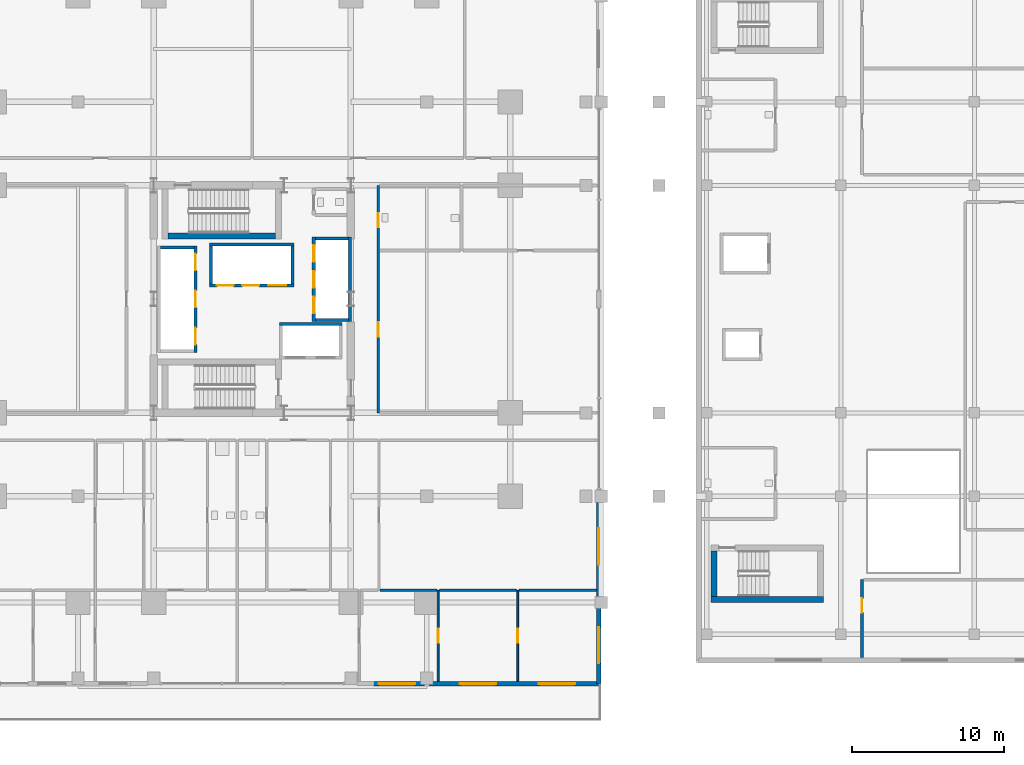
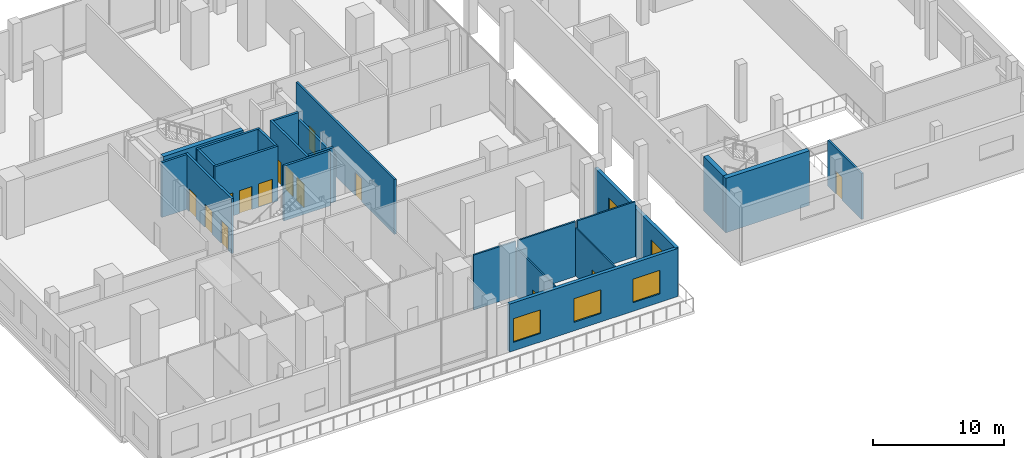
# One storey, part 22 of 32: 23 walls, 14 doors, 5 windows, 19 openings.
"""IFC4 building model written with IfcOpenShell, lengths in metres."""

from ifc_helpers import new_model, si_unit, direction, frame, frame_2d, origin, place, context, subcontext, project, spatial, rectangle, extrude, material, layer, layer_set, type_object, element, fill, save


model = new_model("IFC4")

# Units and contexts
model_context = context("Model", 3, precision=1e-05, world=origin(), true_north=direction((0.0, 1.0)))
body_context = subcontext(model_context, "Body", "Model", "MODEL_VIEW")
ifc_project = project(units=[si_unit("LENGTHUNIT", "METRE"), si_unit("AREAUNIT", "SQUARE_METRE"), si_unit("VOLUMEUNIT", "CUBIC_METRE"), si_unit("PLANEANGLEUNIT", "RADIAN"), si_unit("MASSUNIT", "GRAM", prefix="KILO")], contexts=[model_context])

# Site, building, storey
site_placement = place(None, origin())
site = spatial("IfcSite", under=ifc_project, at=site_placement, CompositionType="ELEMENT")
building_placement = place(site_placement, origin())
building = spatial("IfcBuilding", under=site, at=building_placement, Name="Barlavira Tower and Art Museum", CompositionType="ELEMENT")
storey_placement = place(building_placement, frame((0.0, 0.0, 6.0)))
storey = spatial("IfcBuildingStorey", under=building, at=storey_placement, Name="L01", CompositionType="ELEMENT", Elevation=6.0)

# Wall, opening, door
ifc_material_1 = material(Name="Gypsum acoustic stud partition", Category="gypsum")
ifc_layer_1 = layer(ifc_material_1, 0.1201171875, Name="Gypsum acoustic stud partition")
ifc_layer_set_1 = layer_set([ifc_layer_1], Name="Gypsum acoustic stud partition")
wall_type_1 = type_object("IfcWallType", Name="Apartment Internal Acoustic Partition 120", PredefinedType="PARTITIONING", material=ifc_layer_set_1)
wall_1_placement = place(storey_placement, frame((12.25, -25.195068359375, 0.0), z_axis=(0.0, 0.0, 1.0), x_axis=(0.0, 1.0, 0.0)))
wall_1 = element("IfcWall", 1, at=wall_1_placement, inside=storey, type_object=wall_type_1, Name="L01 Partition Wall 15", PredefinedType="PARTITIONING", context=body_context, shape_type="SweptSolid", body=[
    extrude(rectangle(XDim=5.9951171875, YDim=0.1201171875, at=frame_2d((2.99755859375, 0.0))), origin(), (0.0, 0.0, 1.0), 4.47607421875),
])
opening_1_placement = place(wall_1_placement, frame((2.544921875, 0.0, 0.0)))
opening_1 = element("IfcOpeningElement", 2, at=opening_1_placement, cuts=wall_1, Name="Opening D-01", PredefinedType="OPENING", context=body_context, shape_type="SweptSolid", body=[
    extrude(rectangle(XDim=0.89990234375, YDim=2.10009765625, at=frame_2d((0.449951171875, 1.050048828125))), frame((0.0, 0.070068359375, 0.0), z_axis=(0.0, -1.0, 0.0), x_axis=(1.0, 0.0, 0.0)), (0.0, 0.0, 1.0), 0.14013671875),
])
ifc_material_2 = material(Name="Engineered coastal hardwood", Category="wood")
door_type_1 = type_object("IfcDoorType", Name="Internal Bedroom Timber Flush Door 900x2100", OperationType="NOTDEFINED", PredefinedType="DOOR", material=ifc_material_2)
door_1_placement = place(opening_1_placement, origin())
door_1 = element("IfcDoor", 3, at=door_1_placement, inside=storey, type_object=door_type_1, Name="Apartment P1-SE Bedroom 2 Door", OperationType="SINGLE_SWING_LEFT", OverallHeight=2.10009765625, OverallWidth=0.89990234375, PredefinedType="DOOR", context=body_context, shape_type="SweptSolid", body=[
    extrude(rectangle(XDim=0.89990234375, YDim=2.10009765625, at=frame_2d((0.449951171875, 1.050048828125))), frame((0.0, 0.02490234375, 0.0), z_axis=(0.0, -1.0, 0.0), x_axis=(1.0, 0.0, 0.0)), (0.0, 0.0, 1.0), 0.050048828125),
])
fill(opening_1, door_1)

wall_2_placement = place(storey_placement, frame((17.5, -25.195068359375, 0.0), z_axis=(0.0, 0.0, 1.0), x_axis=(0.0, 1.0, 0.0)))
wall_2 = element("IfcWall", 4, at=wall_2_placement, inside=storey, type_object=wall_type_1, Name="L01 Partition Wall 18", PredefinedType="PARTITIONING", context=body_context, shape_type="SweptSolid", body=[
    extrude(rectangle(XDim=5.9951171875, YDim=0.1201171875, at=frame_2d((2.99755859375, 0.0))), origin(), (0.0, 0.0, 1.0), 4.47607421875),
])
opening_2_placement = place(wall_2_placement, frame((2.544921875, 0.0, 0.0)))
opening_2 = element("IfcOpeningElement", 5, at=opening_2_placement, cuts=wall_2, Name="Opening D-01", PredefinedType="OPENING", context=body_context, shape_type="SweptSolid", body=[
    extrude(rectangle(XDim=0.89990234375, YDim=2.10009765625, at=frame_2d((0.449951171875, 1.050048828125))), frame((0.0, 0.070068359375, 0.0), z_axis=(0.0, -1.0, 0.0), x_axis=(1.0, 0.0, 0.0)), (0.0, 0.0, 1.0), 0.14013671875),
])
door_2_placement = place(opening_2_placement, origin())
door_2 = element("IfcDoor", 6, at=door_2_placement, inside=storey, type_object=door_type_1, Name="Apartment P1-SE Bedroom 3 Door", OperationType="SINGLE_SWING_RIGHT", OverallHeight=2.10009765625, OverallWidth=0.89990234375, PredefinedType="DOOR", context=body_context, shape_type="SweptSolid", body=[
    extrude(rectangle(XDim=0.89990234375, YDim=2.10009765625, at=frame_2d((0.449951171875, 1.050048828125))), frame((0.0, 0.02490234375, 0.0), z_axis=(0.0, -1.0, 0.0), x_axis=(1.0, 0.0, 0.0)), (0.0, 0.0, 1.0), 0.050048828125),
])
fill(opening_2, door_2)

# Wall, openings, doors
ifc_material_3 = material(Name="Autoclaved aerated concrete masonry", Category="masonry")
ifc_layer_2 = layer(ifc_material_3, 0.199951171875, Name="Autoclaved aerated concrete masonry")
ifc_layer_set_2 = layer_set([ifc_layer_2], Name="Autoclaved aerated concrete masonry")
wall_type_2 = type_object("IfcWallType", Name="Fire Compartment and Shaft Wall 200", PredefinedType="SOLIDWALL", material=ifc_layer_set_2)
wall_3_placement = place(storey_placement, frame((-3.75, -3.510009765625, 0.0), z_axis=(0.0, 0.0, 1.0), x_axis=(0.0, 1.0, 0.0)))
wall_3 = element("IfcWall", 7, at=wall_3_placement, inside=storey, type_object=wall_type_2, Name="L01 Low-Rise Lift Front Shaft Wall", PredefinedType="SOLIDWALL", context=body_context, shape_type="SweptSolid", body=[
    extrude(rectangle(XDim=7.02001953125, YDim=0.199951171875, at=frame_2d((3.510009765625, 0.0))), origin(), (0.0, 0.0, 1.0), 5.1201171875),
])
opening_3_placement = place(wall_3_placement, frame((0.510009765625, 0.0, 0.0)))
opening_3 = element("IfcOpeningElement", 8, at=opening_3_placement, cuts=wall_3, Name="Opening LD-P", PredefinedType="OPENING", context=body_context, shape_type="SweptSolid", body=[
    extrude(rectangle(XDim=1.10009765625, YDim=2.14990234375, at=frame_2d((0.550048828125, 1.074951171875))), frame((0.0, 0.10986328125, 0.0), z_axis=(0.0, -1.0, 0.0), x_axis=(1.0, 0.0, 0.0)), (0.0, 0.0, 1.0), 0.219970703125),
])
opening_4_placement = place(wall_3_placement, frame((2.9599609375, 0.0, 0.0)))
opening_4 = element("IfcOpeningElement", 9, at=opening_4_placement, cuts=wall_3, Name="Opening LD-P", PredefinedType="OPENING", context=body_context, shape_type="SweptSolid", body=[
    extrude(rectangle(XDim=1.10009765625, YDim=2.14990234375, at=frame_2d((0.550048828125, 1.074951171875))), frame((0.0, 0.10986328125, 0.0), z_axis=(0.0, -1.0, 0.0), x_axis=(1.0, 0.0, 0.0)), (0.0, 0.0, 1.0), 0.219970703125),
])
opening_5_placement = place(wall_3_placement, frame((5.409912109375, 0.0, 0.0)))
opening_5 = element("IfcOpeningElement", 10, at=opening_5_placement, cuts=wall_3, Name="Opening LD-P", PredefinedType="OPENING", context=body_context, shape_type="SweptSolid", body=[
    extrude(rectangle(XDim=1.10009765625, YDim=2.14990234375, at=frame_2d((0.550048828125, 1.074951171875))), frame((0.0, 0.10986328125, 0.0), z_axis=(0.0, -1.0, 0.0), x_axis=(1.0, 0.0, 0.0)), (0.0, 0.0, 1.0), 0.219970703125),
])
ifc_material_4 = material(Name="Brushed stainless steel", Category="steel")
door_type_2 = type_object("IfcDoorType", Name="Passenger Lift Sliding Landing Door 1100x2150 FD60", OperationType="NOTDEFINED", PredefinedType="DOOR", material=ifc_material_4)
door_3_placement = place(opening_3_placement, origin())
door_3 = element("IfcDoor", 11, at=door_3_placement, inside=storey, type_object=door_type_2, Name="L01 Lift PL1 Sliding Landing Door", OperationType="DOUBLE_DOOR_SLIDING", OverallHeight=2.14990234375, OverallWidth=1.10009765625, PredefinedType="DOOR", context=body_context, shape_type="SweptSolid", body=[
    extrude(rectangle(XDim=1.10009765625, YDim=2.14990234375, at=frame_2d((0.550048828125, 1.074951171875))), frame((0.0, 0.02490234375, 0.0), z_axis=(0.0, -1.0, 0.0), x_axis=(1.0, 0.0, 0.0)), (0.0, 0.0, 1.0), 0.050048828125),
])
fill(opening_3, door_3)
door_4_placement = place(opening_4_placement, origin())
door_4 = element("IfcDoor", 12, at=door_4_placement, inside=storey, type_object=door_type_2, Name="L01 Lift PL2 Sliding Landing Door", OperationType="DOUBLE_DOOR_SLIDING", OverallHeight=2.14990234375, OverallWidth=1.10009765625, PredefinedType="DOOR", context=body_context, shape_type="SweptSolid", body=[
    extrude(rectangle(XDim=1.10009765625, YDim=2.14990234375, at=frame_2d((0.550048828125, 1.074951171875))), frame((0.0, 0.02490234375, 0.0), z_axis=(0.0, -1.0, 0.0), x_axis=(1.0, 0.0, 0.0)), (0.0, 0.0, 1.0), 0.050048828125),
])
fill(opening_4, door_4)
door_5_placement = place(opening_5_placement, origin())
door_5 = element("IfcDoor", 13, at=door_5_placement, inside=storey, type_object=door_type_2, Name="L01 Lift PL3 Sliding Landing Door", OperationType="DOUBLE_DOOR_SLIDING", OverallHeight=2.14990234375, OverallWidth=1.10009765625, PredefinedType="DOOR", context=body_context, shape_type="SweptSolid", body=[
    extrude(rectangle(XDim=1.10009765625, YDim=2.14990234375, at=frame_2d((0.550048828125, 1.074951171875))), frame((0.0, 0.02490234375, 0.0), z_axis=(0.0, -1.0, 0.0), x_axis=(1.0, 0.0, 0.0)), (0.0, 0.0, 1.0), 0.050048828125),
])
fill(opening_5, door_5)

# Wall
wall_4_placement = place(storey_placement, frame((-6.050048828125, 3.409912109375, 0.0), z_axis=(0.0, 0.0, 1.0), x_axis=(1.0, 0.0, 0.0)))
element("IfcWall", 14, at=wall_4_placement, inside=storey, type_object=wall_type_2, Name="L01 Low-Rise Lift North Shaft Wall", PredefinedType="SOLIDWALL", context=body_context, shape_type="SweptSolid", body=[
    extrude(rectangle(XDim=2.199951171875, YDim=0.199951171875, at=frame_2d((1.10009765625, 0.0))), origin(), (0.0, 0.0, 1.0), 5.1201171875),
])

# Wall, openings, doors
wall_5_placement = place(storey_placement, frame((4.050048828125, -1.489990234375, 0.0), z_axis=(0.0, 0.0, 1.0), x_axis=(0.0, 1.0, 0.0)))
wall_5 = element("IfcWall", 15, at=wall_5_placement, inside=storey, type_object=wall_type_2, Name="L01 Mid-Rise Lift Front Shaft Wall", PredefinedType="SOLIDWALL", context=body_context, shape_type="SweptSolid", body=[
    extrude(rectangle(XDim=5.580078125, YDim=0.199951171875, at=frame_2d((2.7900390625, 0.0))), origin(), (0.0, 0.0, 1.0), 5.1201171875),
])
opening_6_placement = place(wall_5_placement, frame((0.5400390625, 0.0, 0.0)))
opening_6 = element("IfcOpeningElement", 16, at=opening_6_placement, cuts=wall_5, Name="Opening LD-P", PredefinedType="OPENING", context=body_context, shape_type="SweptSolid", body=[
    extrude(rectangle(XDim=1.10009765625, YDim=2.14990234375, at=frame_2d((0.550048828125, 1.074951171875))), frame((0.0, 0.10986328125, 0.0), z_axis=(0.0, -1.0, 0.0), x_axis=(1.0, 0.0, 0.0)), (0.0, 0.0, 1.0), 0.219970703125),
])
opening_7_placement = place(wall_5_placement, frame((2.239990234375, 0.0, 0.0)))
opening_7 = element("IfcOpeningElement", 17, at=opening_7_placement, cuts=wall_5, Name="Opening LD-P", PredefinedType="OPENING", context=body_context, shape_type="SweptSolid", body=[
    extrude(rectangle(XDim=1.10009765625, YDim=2.14990234375, at=frame_2d((0.550048828125, 1.074951171875))), frame((0.0, 0.10986328125, 0.0), z_axis=(0.0, -1.0, 0.0), x_axis=(1.0, 0.0, 0.0)), (0.0, 0.0, 1.0), 0.219970703125),
])
opening_8_placement = place(wall_5_placement, frame((3.93994140625, 0.0, 0.0)))
opening_8 = element("IfcOpeningElement", 18, at=opening_8_placement, cuts=wall_5, Name="Opening LD-P", PredefinedType="OPENING", context=body_context, shape_type="SweptSolid", body=[
    extrude(rectangle(XDim=1.10009765625, YDim=2.14990234375, at=frame_2d((0.550048828125, 1.074951171875))), frame((0.0, 0.10986328125, 0.0), z_axis=(0.0, -1.0, 0.0), x_axis=(1.0, 0.0, 0.0)), (0.0, 0.0, 1.0), 0.219970703125),
])
door_6_placement = place(opening_6_placement, origin())
door_6 = element("IfcDoor", 19, at=door_6_placement, inside=storey, type_object=door_type_2, Name="L01 Lift PM1 Sliding Landing Door", OperationType="DOUBLE_DOOR_SLIDING", OverallHeight=2.14990234375, OverallWidth=1.10009765625, PredefinedType="DOOR", context=body_context, shape_type="SweptSolid", body=[
    extrude(rectangle(XDim=1.10009765625, YDim=2.14990234375, at=frame_2d((0.550048828125, 1.074951171875))), frame((0.0, 0.02490234375, 0.0), z_axis=(0.0, -1.0, 0.0), x_axis=(1.0, 0.0, 0.0)), (0.0, 0.0, 1.0), 0.050048828125),
])
fill(opening_6, door_6)
door_7_placement = place(opening_7_placement, origin())
door_7 = element("IfcDoor", 20, at=door_7_placement, inside=storey, type_object=door_type_2, Name="L01 Lift PM2 Sliding Landing Door", OperationType="DOUBLE_DOOR_SLIDING", OverallHeight=2.14990234375, OverallWidth=1.10009765625, PredefinedType="DOOR", context=body_context, shape_type="SweptSolid", body=[
    extrude(rectangle(XDim=1.10009765625, YDim=2.14990234375, at=frame_2d((0.550048828125, 1.074951171875))), frame((0.0, 0.02490234375, 0.0), z_axis=(0.0, -1.0, 0.0), x_axis=(1.0, 0.0, 0.0)), (0.0, 0.0, 1.0), 0.050048828125),
])
fill(opening_7, door_7)
door_8_placement = place(opening_8_placement, origin())
door_8 = element("IfcDoor", 21, at=door_8_placement, inside=storey, type_object=door_type_2, Name="L01 Lift PM3 Sliding Landing Door", OperationType="DOUBLE_DOOR_SLIDING", OverallHeight=2.14990234375, OverallWidth=1.10009765625, PredefinedType="DOOR", context=body_context, shape_type="SweptSolid", body=[
    extrude(rectangle(XDim=1.10009765625, YDim=2.14990234375, at=frame_2d((0.550048828125, 1.074951171875))), frame((0.0, 0.02490234375, 0.0), z_axis=(0.0, -1.0, 0.0), x_axis=(1.0, 0.0, 0.0)), (0.0, 0.0, 1.0), 0.050048828125),
])
fill(opening_8, door_8)

# Walls
wall_6_placement = place(storey_placement, frame((6.449951171875, -1.489990234375, 0.0), z_axis=(0.0, 0.0, 1.0), x_axis=(0.0, 1.0, 0.0)))
element("IfcWall", 22, at=wall_6_placement, inside=storey, type_object=wall_type_2, Name="L01 Mid-Rise Lift Back Shaft Wall", PredefinedType="SOLIDWALL", context=body_context, shape_type="SweptSolid", body=[
    extrude(rectangle(XDim=5.580078125, YDim=0.199951171875, at=frame_2d((2.7900390625, 0.0))), origin(), (0.0, 0.0, 1.0), 4.409912109375),
])
for number, where, z_axis, x_axis, name in (
    (23, (4.14990234375, -1.389892578125, 0.0), (0.0, 0.0, 1.0), (1.0, 0.0, 0.0), "L01 Mid-Rise Lift South Shaft Wall"),
    (24, (4.14990234375, 3.989990234375, 0.0), (0.0, 0.0, 1.0), (1.0, 0.0, 0.0), "L01 Mid-Rise Lift North Shaft Wall"),
):
    element("IfcWall", number, at=place(storey_placement, frame(where, z_axis=z_axis, x_axis=x_axis)), inside=storey, type_object=wall_type_2, Name=name, PredefinedType="SOLIDWALL", context=body_context, shape_type="SweptSolid", body=[
        extrude(rectangle(XDim=2.2001953125, YDim=0.199951171875, at=frame_2d((1.10009765625, 0.0))), origin(), (0.0, 0.0, 1.0), 5.1201171875),
    ])

# Wall, openings, doors
wall_7_placement = place(storey_placement, frame((-2.820068359375, 0.89990234375, 0.0), z_axis=(0.0, 0.0, 1.0), x_axis=(1.0, 0.0, 0.0)))
wall_7 = element("IfcWall", 25, at=wall_7_placement, inside=storey, type_object=wall_type_2, Name="L01 High-Rise & Service Lift Front Wall", PredefinedType="SOLIDWALL", context=body_context, shape_type="SweptSolid", body=[
    extrude(rectangle(XDim=5.580078125, YDim=0.199951171875, at=frame_2d((2.7900390625, 0.0))), origin(), (0.0, 0.0, 1.0), 5.1201171875),
])
opening_9_placement = place(wall_7_placement, frame((0.489990234375, 0.0, 0.0)))
opening_9 = element("IfcOpeningElement", 26, at=opening_9_placement, cuts=wall_7, Name="Opening LD-P", PredefinedType="OPENING", context=body_context, shape_type="SweptSolid", body=[
    extrude(rectangle(XDim=1.10009765625, YDim=2.14990234375, at=frame_2d((0.550048828125, 1.074951171875))), frame((0.0, 0.10986328125, 0.0), z_axis=(0.0, -1.0, 0.0), x_axis=(1.0, 0.0, 0.0)), (0.0, 0.0, 1.0), 0.219970703125),
])
opening_10_placement = place(wall_7_placement, frame((2.169921875, 0.0, 0.0)))
opening_10 = element("IfcOpeningElement", 27, at=opening_10_placement, cuts=wall_7, Name="Opening LD-P", PredefinedType="OPENING", context=body_context, shape_type="SweptSolid", body=[
    extrude(rectangle(XDim=1.10009765625, YDim=2.14990234375, at=frame_2d((0.550048828125, 1.074951171875))), frame((0.0, 0.10986328125, 0.0), z_axis=(0.0, -1.0, 0.0), x_axis=(1.0, 0.0, 0.0)), (0.0, 0.0, 1.0), 0.219970703125),
])
opening_11_placement = place(wall_7_placement, frame((3.860107421875, 0.0, 0.0)))
opening_11 = element("IfcOpeningElement", 28, at=opening_11_placement, cuts=wall_7, Name="Opening LD-F", PredefinedType="OPENING", context=body_context, shape_type="SweptSolid", body=[
    extrude(rectangle(XDim=1.199951171875, YDim=2.199951171875, at=frame_2d((0.60009765625, 1.10009765625))), frame((0.0, 0.10986328125, 0.0), z_axis=(0.0, -1.0, 0.0), x_axis=(1.0, 0.0, 0.0)), (0.0, 0.0, 1.0), 0.219970703125),
])
door_type_3 = type_object("IfcDoorType", Name="Firefighting and Service Lift Sliding Door 1200x2200 FD120", OperationType="NOTDEFINED", PredefinedType="DOOR", material=ifc_material_4)
door_9_placement = place(opening_11_placement, origin())
door_9 = element("IfcDoor", 29, at=door_9_placement, inside=storey, type_object=door_type_3, Name="L01 Stretcher Service Lift SL1 Sliding Door", OperationType="DOUBLE_DOOR_SLIDING", OverallHeight=2.199951171875, OverallWidth=1.199951171875, PredefinedType="DOOR", context=body_context, shape_type="SweptSolid", body=[
    extrude(rectangle(XDim=1.199951171875, YDim=2.199951171875, at=frame_2d((0.60009765625, 1.10009765625))), frame((0.0, 0.02490234375, 0.0), z_axis=(0.0, -1.0, 0.0), x_axis=(1.0, 0.0, 0.0)), (0.0, 0.0, 1.0), 0.050048828125),
])
fill(opening_11, door_9)
door_10_placement = place(opening_9_placement, origin())
door_10 = element("IfcDoor", 30, at=door_10_placement, inside=storey, type_object=door_type_2, Name="L01 Lift PH1 Sliding Landing Door", OperationType="DOUBLE_DOOR_SLIDING", OverallHeight=2.14990234375, OverallWidth=1.10009765625, PredefinedType="DOOR", context=body_context, shape_type="SweptSolid", body=[
    extrude(rectangle(XDim=1.10009765625, YDim=2.14990234375, at=frame_2d((0.550048828125, 1.074951171875))), frame((0.0, 0.02490234375, 0.0), z_axis=(0.0, -1.0, 0.0), x_axis=(1.0, 0.0, 0.0)), (0.0, 0.0, 1.0), 0.050048828125),
])
fill(opening_9, door_10)
door_11_placement = place(opening_10_placement, origin())
door_11 = element("IfcDoor", 31, at=door_11_placement, inside=storey, type_object=door_type_2, Name="L01 Lift PH2 Sliding Landing Door", OperationType="DOUBLE_DOOR_SLIDING", OverallHeight=2.14990234375, OverallWidth=1.10009765625, PredefinedType="DOOR", context=body_context, shape_type="SweptSolid", body=[
    extrude(rectangle(XDim=1.10009765625, YDim=2.14990234375, at=frame_2d((0.550048828125, 1.074951171875))), frame((0.0, 0.02490234375, 0.0), z_axis=(0.0, -1.0, 0.0), x_axis=(1.0, 0.0, 0.0)), (0.0, 0.0, 1.0), 0.050048828125),
])
fill(opening_10, door_11)

# Walls
wall_8_placement = place(storey_placement, frame((-2.820068359375, 3.60009765625, 0.0), z_axis=(0.0, 0.0, 1.0), x_axis=(1.0, 0.0, 0.0)))
element("IfcWall", 32, at=wall_8_placement, inside=storey, type_object=wall_type_2, Name="L01 High-Rise & Service Lift Back Wall", PredefinedType="SOLIDWALL", context=body_context, shape_type="SweptSolid", body=[
    extrude(rectangle(XDim=5.580078125, YDim=0.199951171875, at=frame_2d((2.7900390625, 0.0))), origin(), (0.0, 0.0, 1.0), 5.1201171875),
])
for number, where, z_axis, x_axis, name in (
    (33, (-2.719970703125, 1.0, 0.0), (0.0, 0.0, 1.0), (0.0, 1.0, 0.0), "L01 High-Rise & Service Lift West Wall"),
    (34, (2.659912109375, 1.0, 0.0), (0.0, 0.0, 1.0), (0.0, 1.0, 0.0), "L01 High-Rise & Service Lift East Wall"),
):
    element("IfcWall", number, at=place(storey_placement, frame(where, z_axis=z_axis, x_axis=x_axis)), inside=storey, type_object=wall_type_2, Name=name, PredefinedType="SOLIDWALL", context=body_context, shape_type="SweptSolid", body=[
        extrude(rectangle(XDim=2.5, YDim=0.199951171875, at=frame_2d((1.25, 0.0))), origin(), (0.0, 0.0, 1.0), 5.1201171875),
    ])
wall_9_placement = place(storey_placement, frame((1.800048828125, -1.64990234375, 0.0), z_axis=(0.0, 0.0, 1.0), x_axis=(1.0, 0.0, 0.0)))
element("IfcWall", 35, at=wall_9_placement, inside=storey, type_object=wall_type_2, Name="L01 Firefighting Lift Back Shaft Wall", PredefinedType="SOLIDWALL", context=body_context, shape_type="SweptSolid", body=[
    extrude(rectangle(XDim=4.099853515625, YDim=0.199951171875, at=frame_2d((2.0498046875, 0.0))), origin(), (0.0, 0.0, 1.0), 5.1201171875),
])

# Wall, openings, doors
ifc_layer_3 = layer(ifc_material_1, 0.179931640625, Name="Gypsum acoustic stud partition")
ifc_layer_set_3 = layer_set([ifc_layer_3], Name="Gypsum acoustic stud partition")
wall_type_3 = type_object("IfcWallType", Name="Inter-Tenancy Party Partition Wall 180", PredefinedType="PARTITIONING", material=ifc_layer_set_3)
wall_10_placement = place(storey_placement, frame((8.300048828125, -7.5, 0.0), z_axis=(0.0, 0.0, 1.0), x_axis=(0.0, 1.0, 0.0)))
wall_10 = element("IfcWall", 36, at=wall_10_placement, inside=storey, type_object=wall_type_3, Name="L01 Partition Wall 13", PredefinedType="PARTITIONING", context=body_context, shape_type="SweptSolid", body=[
    extrude(rectangle(XDim=15.0, YDim=0.179931640625, at=frame_2d((7.5, 0.0))), origin(), (0.0, 0.0, 1.0), 5.1201171875),
])
opening_12_placement = place(wall_10_placement, frame((5.02490234375, 0.0, 0.0)))
opening_12 = element("IfcOpeningElement", 37, at=opening_12_placement, cuts=wall_10, Name="Opening FD-60", PredefinedType="OPENING", context=body_context, shape_type="SweptSolid", body=[
    extrude(rectangle(XDim=0.949951171875, YDim=2.14990234375, at=frame_2d((0.47509765625, 1.074951171875))), frame((0.0, 0.10009765625, 0.0), z_axis=(0.0, -1.0, 0.0), x_axis=(1.0, 0.0, 0.0)), (0.0, 0.0, 1.0), 0.199951171875),
])
opening_13_placement = place(wall_10_placement, frame((12.22509765625, 0.0, 0.0)))
opening_13 = element("IfcOpeningElement", 38, at=opening_13_placement, cuts=wall_10, Name="Opening FD-60", PredefinedType="OPENING", context=body_context, shape_type="SweptSolid", body=[
    extrude(rectangle(XDim=0.949951171875, YDim=2.14990234375, at=frame_2d((0.47509765625, 1.074951171875))), frame((0.0, 0.10009765625, 0.0), z_axis=(0.0, -1.0, 0.0), x_axis=(1.0, 0.0, 0.0)), (0.0, 0.0, 1.0), 0.199951171875),
])
door_type_4 = type_object("IfcDoorType", Name="Apartment Entrance and Riser Fire Door 950x2150 FD60S", OperationType="NOTDEFINED", PredefinedType="DOOR", material=ifc_material_4)
door_12_placement = place(opening_12_placement, origin())
door_12 = element("IfcDoor", 39, at=door_12_placement, inside=storey, type_object=door_type_4, Name="L01 East Arcade Overlook Salon Door", OperationType="SINGLE_SWING_LEFT", OverallHeight=2.14990234375, OverallWidth=0.949951171875, PredefinedType="DOOR", context=body_context, shape_type="SweptSolid", body=[
    extrude(rectangle(XDim=0.949951171875, YDim=2.14990234375, at=frame_2d((0.47509765625, 1.074951171875))), frame((0.0, 0.02490234375, 0.0), z_axis=(0.0, -1.0, 0.0), x_axis=(1.0, 0.0, 0.0)), (0.0, 0.0, 1.0), 0.050048828125),
])
fill(opening_12, door_12)
door_13_placement = place(opening_13_placement, origin())
door_13 = element("IfcDoor", 40, at=door_13_placement, inside=storey, type_object=door_type_4, Name="L01 Podium Accessible Restroom Door", OperationType="SINGLE_SWING_RIGHT", OverallHeight=2.14990234375, OverallWidth=0.949951171875, PredefinedType="DOOR", context=body_context, shape_type="SweptSolid", body=[
    extrude(rectangle(XDim=0.949951171875, YDim=2.14990234375, at=frame_2d((0.47509765625, 1.074951171875))), frame((0.0, 0.02490234375, 0.0), z_axis=(0.0, -1.0, 0.0), x_axis=(1.0, 0.0, 0.0)), (0.0, 0.0, 1.0), 0.050048828125),
])
fill(opening_13, door_13)

# Wall, opening, door
wall_11_placement = place(storey_placement, frame((40.199951171875, -23.64501953125, 0.0), z_axis=(0.0, 0.0, 1.0), x_axis=(0.0, 1.0, 0.0)))
wall_11 = element("IfcWall", 41, at=wall_11_placement, inside=storey, type_object=wall_type_3, Name="L01 Partition Wall 21", PredefinedType="PARTITIONING", context=body_context, shape_type="SweptSolid", body=[
    extrude(rectangle(XDim=5.14501953125, YDim=0.179931640625, at=frame_2d((2.572509765625, 0.0))), origin(), (0.0, 0.0, 1.0), 4.297119140625),
])
opening_14_placement = place(wall_11_placement, frame((2.969970703125, 0.0, 0.0)))
opening_14 = element("IfcOpeningElement", 42, at=opening_14_placement, cuts=wall_11, Name="Opening FD-60", PredefinedType="OPENING", context=body_context, shape_type="SweptSolid", body=[
    extrude(rectangle(XDim=0.949951171875, YDim=2.14990234375, at=frame_2d((0.47509765625, 1.074951171875))), frame((0.0, 0.10009765625, 0.0), z_axis=(0.0, -1.0, 0.0), x_axis=(1.0, 0.0, 0.0)), (0.0, 0.0, 1.0), 0.199951171875),
])
door_14_placement = place(opening_14_placement, origin())
door_14 = element("IfcDoor", 43, at=door_14_placement, inside=storey, type_object=door_type_4, Name="L01 Patron Reception Salon Door", OperationType="SINGLE_SWING_LEFT", OverallHeight=2.14990234375, OverallWidth=0.949951171875, PredefinedType="DOOR", context=body_context, shape_type="SweptSolid", body=[
    extrude(rectangle(XDim=0.949951171875, YDim=2.14990234375, at=frame_2d((0.47509765625, 1.074951171875))), frame((0.0, 0.02490234375, 0.0), z_axis=(0.0, -1.0, 0.0), x_axis=(1.0, 0.0, 0.0)), (0.0, 0.0, 1.0), 0.050048828125),
])
fill(opening_14, door_14)

# Walls
ifc_layer_4 = layer(ifc_material_1, 0.139892578125, Name="Gypsum acoustic stud partition")
ifc_layer_set_4 = layer_set([ifc_layer_4], Name="Gypsum acoustic stud partition")
wall_type_4 = type_object("IfcWallType", Name="Moisture-Resistant Bathroom Partition 140", PredefinedType="PARTITIONING", material=ifc_layer_set_4)
wall_12_placement = place(storey_placement, frame((8.429931640625, -19.199951171875, 0.0), z_axis=(0.0, 0.0, 1.0), x_axis=(1.0, 0.0, 0.0)))
element("IfcWall", 44, at=wall_12_placement, inside=storey, type_object=wall_type_4, Name="L01 Partition Wall 34", PredefinedType="PARTITIONING", context=body_context, shape_type="SweptSolid", body=[
    extrude(rectangle(XDim=3.739990234375, YDim=0.139892578125, at=frame_2d((1.8701171875, 0.0))), origin(), (0.0, 0.0, 1.0), 5.1201171875),
])
wall_13_placement = place(storey_placement, frame((12.330078125, -19.199951171875, 0.0), z_axis=(0.0, 0.0, 1.0), x_axis=(1.0, 0.0, 0.0)))
element("IfcWall", 45, at=wall_13_placement, inside=storey, type_object=wall_type_4, Name="L01 Partition Wall 35", PredefinedType="PARTITIONING", context=body_context, shape_type="SweptSolid", body=[
    extrude(rectangle(XDim=5.08984375, YDim=0.139892578125, at=frame_2d((2.544921875, 0.0))), origin(), (0.0, 0.0, 1.0), 5.1201171875),
])
wall_14_placement = place(storey_placement, frame((17.580078125, -19.199951171875, 0.0), z_axis=(0.0, 0.0, 1.0), x_axis=(1.0, 0.0, 0.0)))
element("IfcWall", 46, at=wall_14_placement, inside=storey, type_object=wall_type_4, Name="L01 Partition Wall 36", PredefinedType="PARTITIONING", context=body_context, shape_type="SweptSolid", body=[
    extrude(rectangle(XDim=5.114990234375, YDim=0.139892578125, at=frame_2d((2.5576171875, 0.0))), origin(), (0.0, 0.0, 1.0), 5.1201171875),
])

# Wall, openings, windows
ifc_material_5 = material(Name="Precast concrete C40", Category="concrete")
ifc_layer_5 = layer(ifc_material_5, 0.300048828125, Name="Precast concrete C40")
ifc_layer_set_5 = layer_set([ifc_layer_5], Name="Precast concrete C40")
wall_type_5 = type_object("IfcWallType", Name="Podium Architectural Precast Facade Wall 300 Concrete C40", PredefinedType="SOLIDWALL", material=ifc_layer_set_5)
wall_15_placement = place(storey_placement, frame((22.85009765625, -13.0, 0.0), z_axis=(0.0, 0.0, 1.0), x_axis=(0.0, -1.0, 0.0)))
wall_15 = element("IfcWall", 47, at=wall_15_placement, inside=storey, type_object=wall_type_5, Name="L01 Podium East-South Wall", PredefinedType="SOLIDWALL", context=body_context, shape_type="SweptSolid", body=[
    extrude(rectangle(XDim=12.35009765625, YDim=0.300048828125, at=frame_2d((6.175048828125, 0.0))), origin(), (0.0, 0.0, 1.0), 4.47607421875),
])
opening_15_placement = place(wall_15_placement, frame((2.1201171875, 0.0, 0.800048828125)))
opening_15 = element("IfcOpeningElement", 48, at=opening_15_placement, cuts=wall_15, Name="Opening WN-02", PredefinedType="OPENING", context=body_context, shape_type="SweptSolid", body=[
    extrude(rectangle(XDim=2.39990234375, YDim=2.199951171875, at=frame_2d((1.199951171875, 1.10009765625))), frame((0.0, 0.16015625, 0.0), z_axis=(0.0, -1.0, 0.0), x_axis=(1.0, 0.0, 0.0)), (0.0, 0.0, 1.0), 0.320068359375),
])
opening_16_placement = place(wall_15_placement, frame((8.6201171875, 0.0, 0.800048828125)))
opening_16 = element("IfcOpeningElement", 49, at=opening_16_placement, cuts=wall_15, Name="Opening WN-02", PredefinedType="OPENING", context=body_context, shape_type="SweptSolid", body=[
    extrude(rectangle(XDim=2.39990234375, YDim=2.199951171875, at=frame_2d((1.199951171875, 1.10009765625))), frame((0.0, 0.16015625, 0.0), z_axis=(0.0, -1.0, 0.0), x_axis=(1.0, 0.0, 0.0)), (0.0, 0.0, 1.0), 0.320068359375),
])
ifc_material_6 = material(Name="Low-iron coastal laminated glass", Category="glass")
window_type = type_object("IfcWindowType", Name="Podium Garden Gallery Window 2400x2200", PartitioningType="SINGLE_PANEL", PredefinedType="WINDOW", material=ifc_material_6)
window_1_placement = place(opening_15_placement, origin())
window_1 = element("IfcWindow", 50, at=window_1_placement, inside=storey, type_object=window_type, Name="L01 Punched Facade Window EW-L01-ES-1", OverallHeight=2.199951171875, OverallWidth=2.39990234375, PartitioningType="SINGLE_PANEL", PredefinedType="WINDOW", context=body_context, shape_type="SweptSolid", body=[
    extrude(rectangle(XDim=2.39990234375, YDim=2.199951171875, at=frame_2d((1.199951171875, 1.10009765625))), frame((0.0, 0.030029296875, 0.0), z_axis=(0.0, -1.0, 0.0), x_axis=(1.0, 0.0, 0.0)), (0.0, 0.0, 1.0), 0.06005859375),
])
fill(opening_15, window_1)
window_2_placement = place(opening_16_placement, origin())
window_2 = element("IfcWindow", 51, at=window_2_placement, inside=storey, type_object=window_type, Name="L01 Punched Facade Window EW-L01-ES-2", OverallHeight=2.199951171875, OverallWidth=2.39990234375, PartitioningType="SINGLE_PANEL", PredefinedType="WINDOW", context=body_context, shape_type="SweptSolid", body=[
    extrude(rectangle(XDim=2.39990234375, YDim=2.199951171875, at=frame_2d((1.199951171875, 1.10009765625))), frame((0.0, 0.030029296875, 0.0), z_axis=(0.0, -1.0, 0.0), x_axis=(1.0, 0.0, 0.0)), (0.0, 0.0, 1.0), 0.06005859375),
])
fill(opening_16, window_2)

wall_16_placement = place(storey_placement, frame((22.85009765625, -25.35009765625, 0.0), z_axis=(0.0, 0.0, 1.0), x_axis=(-1.0, 0.0, 0.0)))
wall_16 = element("IfcWall", 52, at=wall_16_placement, inside=storey, type_object=wall_type_5, Name="L01 Podium South-East Wall", PredefinedType="SOLIDWALL", context=body_context, shape_type="SweptSolid", body=[
    extrude(rectangle(XDim=14.85009765625, YDim=0.300048828125, at=frame_2d((7.425048828125, 0.0))), origin(), (0.0, 0.0, 1.0), 4.47607421875),
])
opening_17_placement = place(wall_16_placement, frame((1.56005859375, 0.0, 0.800048828125)))
opening_17 = element("IfcOpeningElement", 53, at=opening_17_placement, cuts=wall_16, Name="Opening WN-02", PredefinedType="OPENING", context=body_context, shape_type="SweptSolid", body=[
    extrude(rectangle(XDim=2.39990234375, YDim=2.199951171875, at=frame_2d((1.199951171875, 1.10009765625))), frame((0.0, 0.16015625, 0.0), z_axis=(0.0, -1.0, 0.0), x_axis=(1.0, 0.0, 0.0)), (0.0, 0.0, 1.0), 0.320068359375),
])
opening_18_placement = place(wall_16_placement, frame((6.77490234375, 0.0, 0.800048828125)))
opening_18 = element("IfcOpeningElement", 54, at=opening_18_placement, cuts=wall_16, Name="Opening WN-02", PredefinedType="OPENING", context=body_context, shape_type="SweptSolid", body=[
    extrude(rectangle(XDim=2.39990234375, YDim=2.199951171875, at=frame_2d((1.199951171875, 1.10009765625))), frame((0.0, 0.16015625, 0.0), z_axis=(0.0, -1.0, 0.0), x_axis=(1.0, 0.0, 0.0)), (0.0, 0.0, 1.0), 0.320068359375),
])
opening_19_placement = place(wall_16_placement, frame((12.1201171875, 0.0, 0.800048828125)))
opening_19 = element("IfcOpeningElement", 55, at=opening_19_placement, cuts=wall_16, Name="Opening WN-02", PredefinedType="OPENING", context=body_context, shape_type="SweptSolid", body=[
    extrude(rectangle(XDim=2.39990234375, YDim=2.199951171875, at=frame_2d((1.199951171875, 1.10009765625))), frame((0.0, 0.16015625, 0.0), z_axis=(0.0, -1.0, 0.0), x_axis=(1.0, 0.0, 0.0)), (0.0, 0.0, 1.0), 0.320068359375),
])
window_3_placement = place(opening_17_placement, origin())
window_3 = element("IfcWindow", 56, at=window_3_placement, inside=storey, type_object=window_type, Name="L01 Punched Facade Window EW-L01-SE-1", OverallHeight=2.199951171875, OverallWidth=2.39990234375, PartitioningType="SINGLE_PANEL", PredefinedType="WINDOW", context=body_context, shape_type="SweptSolid", body=[
    extrude(rectangle(XDim=2.39990234375, YDim=2.199951171875, at=frame_2d((1.199951171875, 1.10009765625))), frame((0.0, 0.030029296875, 0.0), z_axis=(0.0, -1.0, 0.0), x_axis=(1.0, 0.0, 0.0)), (0.0, 0.0, 1.0), 0.06005859375),
])
fill(opening_17, window_3)
window_4_placement = place(opening_18_placement, origin())
window_4 = element("IfcWindow", 57, at=window_4_placement, inside=storey, type_object=window_type, Name="L01 Punched Facade Window EW-L01-SE-2", OverallHeight=2.199951171875, OverallWidth=2.39990234375, PartitioningType="SINGLE_PANEL", PredefinedType="WINDOW", context=body_context, shape_type="SweptSolid", body=[
    extrude(rectangle(XDim=2.39990234375, YDim=2.199951171875, at=frame_2d((1.199951171875, 1.10009765625))), frame((0.0, 0.030029296875, 0.0), z_axis=(0.0, -1.0, 0.0), x_axis=(1.0, 0.0, 0.0)), (0.0, 0.0, 1.0), 0.06005859375),
])
fill(opening_18, window_4)
window_5_placement = place(opening_19_placement, origin())
window_5 = element("IfcWindow", 58, at=window_5_placement, inside=storey, type_object=window_type, Name="L01 Punched Facade Window EW-L01-SE-3", OverallHeight=2.199951171875, OverallWidth=2.39990234375, PartitioningType="SINGLE_PANEL", PredefinedType="WINDOW", context=body_context, shape_type="SweptSolid", body=[
    extrude(rectangle(XDim=2.39990234375, YDim=2.199951171875, at=frame_2d((1.199951171875, 1.10009765625))), frame((0.0, 0.030029296875, 0.0), z_axis=(0.0, -1.0, 0.0), x_axis=(1.0, 0.0, 0.0)), (0.0, 0.0, 1.0), 0.06005859375),
])
fill(opening_19, window_5)

# Walls
ifc_material_7 = material(Name="Concrete C55", Category="concrete")
ifc_layer_6 = layer(ifc_material_7, 0.39990234375, Name="Concrete C55")
ifc_layer_set_6 = layer_set([ifc_layer_6], Name="Concrete C55")
wall_type_6 = type_object("IfcWallType", Name="Upper Core Shear Wall 400 Concrete C55", PredefinedType="SHEAR", material=ifc_layer_set_6)
wall_17_placement = place(storey_placement, frame((-5.550048828125, 4.14990234375, 0.0), z_axis=(0.0, 0.0, 1.0), x_axis=(1.0, 0.0, 0.0)))
element("IfcWall", 59, at=wall_17_placement, inside=storey, type_object=wall_type_6, Name="L01 ST-T2 South Shaft Wall", PredefinedType="SHEAR", context=body_context, shape_type="SweptSolid", body=[
    extrude(rectangle(XDim=7.080078125, YDim=0.39990234375, at=frame_2d((3.5400390625, 0.0))), origin(), (0.0, 0.0, 1.0), 5.1201171875),
])
wall_18_placement = place(storey_placement, frame((37.64990234375, -19.800048828125, 0.0), z_axis=(0.0, 0.0, 1.0), x_axis=(-1.0, 0.0, 0.0)))
element("IfcWall", 60, at=wall_18_placement, inside=storey, type_object=wall_type_6, Name="L01 ST-M1 South Shaft Wall", PredefinedType="SHEAR", context=body_context, shape_type="SweptSolid", body=[
    extrude(rectangle(XDim=7.39990234375, YDim=0.39990234375, at=frame_2d((3.699951171875, 0.0))), origin(), (0.0, 0.0, 1.0), 5.080078125),
])
wall_19_placement = place(storey_placement, frame((30.449951171875, -19.60009765625, 0.0), z_axis=(0.0, 0.0, 1.0), x_axis=(0.0, 1.0, 0.0)))
element("IfcWall", 61, at=wall_19_placement, inside=storey, type_object=wall_type_6, Name="L01 ST-M1 West Shaft Wall", PredefinedType="SHEAR", context=body_context, shape_type="SweptSolid", body=[
    extrude(rectangle(XDim=3.0, YDim=0.39990234375, at=frame_2d((1.5, 0.0))), origin(), (0.0, 0.0, 1.0), 5.080078125),
])

save(model, "model.ifc")
